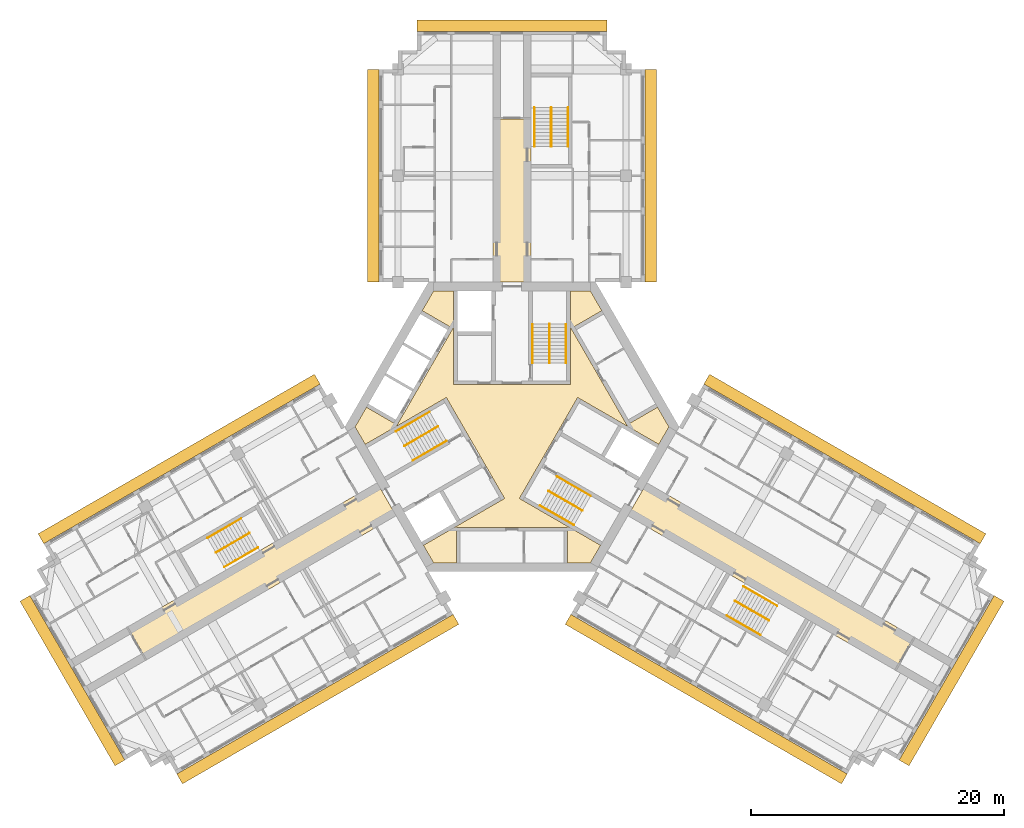
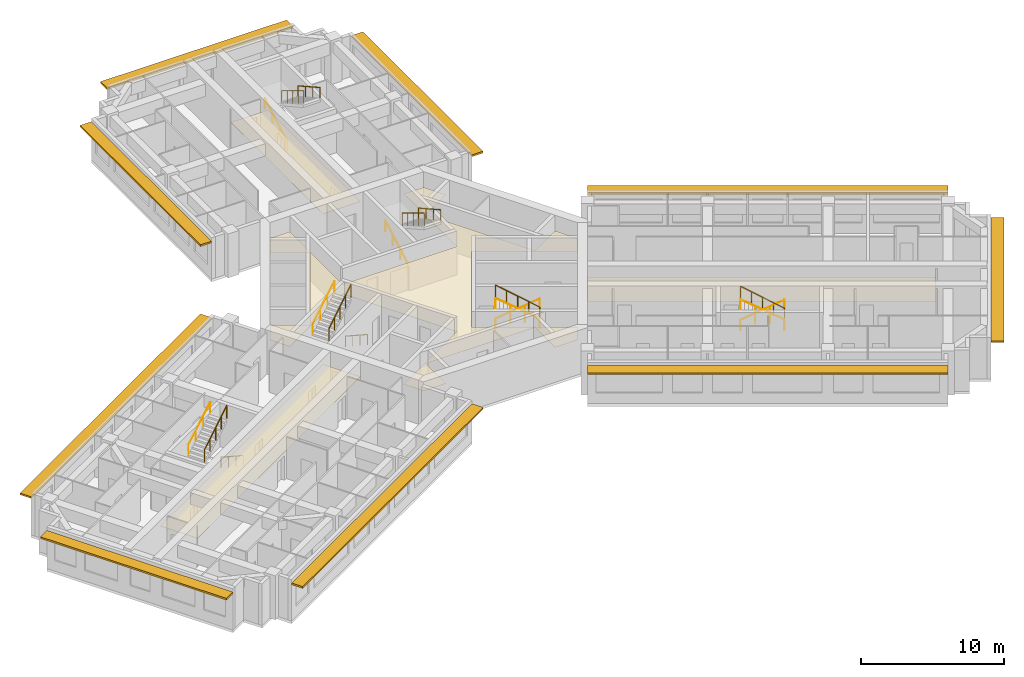
# One storey, part 12 of 12: 18 railings, 4 coverings, 3 shading devices.
"""IFC4 building model written with IfcOpenShell, lengths in metres."""

from ifc_helpers import new_model, si_unit, direction, frame, origin, origin_2d, place, context, subcontext, project, spatial, polyline, rectangle, circle, outline, extrude, material, layer, layer_set, type_object, element, save


model = new_model("IFC4")

# Units and contexts
model_context = context("Model", 3, precision=1e-05, world=origin(), true_north=direction((0.0, 1.0)))
body_context = subcontext(model_context, "Body", "Model", "MODEL_VIEW")
ifc_project = project(units=[si_unit("LENGTHUNIT", "METRE"), si_unit("AREAUNIT", "SQUARE_METRE"), si_unit("VOLUMEUNIT", "CUBIC_METRE"), si_unit("PLANEANGLEUNIT", "RADIAN"), si_unit("MASSUNIT", "GRAM", prefix="KILO")], contexts=[model_context])

# Site, building, storey
site_placement = place(None, origin())
site = spatial("IfcSite", under=ifc_project, at=site_placement, CompositionType="ELEMENT")
building_placement = place(site_placement, origin())
building = spatial("IfcBuilding", under=site, at=building_placement, Name="Impinga Residences", CompositionType="ELEMENT")
storey_placement = place(building_placement, frame((0.0, 0.0, 214.75)))
storey = spatial("IfcBuildingStorey", under=building, at=storey_placement, Name="L53", CompositionType="ELEMENT", Elevation=214.75)

# Coverings
ifc_material_1 = material(Name="Plasterboard 15 mm on steel hangers", Category="steel")
ifc_layer_1 = layer(ifc_material_1, 0.014892578125)
ifc_layer_set_1 = layer_set([ifc_layer_1], Name="Plasterboard 15 mm on steel hangers")
covering_type_1 = type_object("IfcCoveringType", Name="CL1 corridor ceiling, 15 mm plasterboard on hangers", PredefinedType="CEILING", material=ifc_layer_set_1)
covering_1_placement = place(storey_placement, frame((0.0, 0.0, 2.39990234375)))
element("IfcCovering", 1, at=covering_1_placement, inside=storey, type_object=covering_type_1, Name="Corridor ceiling CL1 L53-N00", PredefinedType="CEILING", context=body_context, shape_type="SweptSolid", body=[
    extrude(outline(polyline([(-1.5, 11.431640625), (1.5, 11.431640625), (1.5, 24.33154296875), (-1.5, 24.33154296875), (-1.5, 11.431640625)])), origin(), (0.0, 0.0, 1.0), 0.01513671875),
])
covering_2_placement = place(storey_placement, frame((0.0, 0.0, 2.39990234375)))
element("IfcCovering", 2, at=covering_2_placement, inside=storey, type_object=covering_type_1, Name="Corridor ceiling CL1 L53-W00", PredefinedType="CEILING", context=body_context, shape_type="SweptSolid", body=[
    extrude(outline(polyline([(-9.14990234375, -7.014892578125), (-10.64990234375, -4.416748046875), (-30.35205078125, -15.791748046875), (-28.85205078125, -18.389892578125), (-9.14990234375, -7.014892578125)])), origin(), (0.0, 0.0, 1.0), 0.01513671875),
])
covering_3_placement = place(storey_placement, frame((0.0, 0.0, 2.39990234375)))
element("IfcCovering", 3, at=covering_3_placement, inside=storey, type_object=covering_type_1, Name="Corridor ceiling CL1 L53-E00", PredefinedType="CEILING", context=body_context, shape_type="SweptSolid", body=[
    extrude(outline(polyline([(10.64990234375, -4.416748046875), (9.14990234375, -7.014892578125), (30.23779296875, -19.189697265625), (31.73779296875, -16.591796875), (10.64990234375, -4.416748046875)])), origin(), (0.0, 0.0, 1.0), 0.01513671875),
])
ifc_material_2 = material(Name="Mineral fibre tiles 20 mm on exposed grid", Category="mineral fibre")
ifc_layer_2 = layer(ifc_material_2, 0.02001953125)
ifc_layer_set_2 = layer_set([ifc_layer_2], Name="CL2 lift lobby ceiling, 20 mm mineral fibre tiles")
covering_type_2 = type_object("IfcCoveringType", Name="CL2 lift lobby ceiling, 20 mm mineral fibre tiles", PredefinedType="CEILING", material=ifc_layer_set_2)
covering_4_placement = place(storey_placement, frame((0.0, 0.0, 2.39990234375)))
element("IfcCovering", 4, at=covering_4_placement, inside=storey, type_object=covering_type_2, Name="Lift lobby ceiling CL2 L53-C01", PredefinedType="CEILING", context=body_context, shape_type="SweptSolid", body=[
    extrude(outline(polyline([(12.3916015625, 0.0), (11.59375, -1.382080078125), (5.183837890625, 2.318603515625), (0.583984375, -5.648681640625), (6.993896484375, -9.349365234375), (6.19580078125, -10.7314453125), (4.39990234375, -10.7314453125), (4.39990234375, -7.931640625), (-4.39990234375, -7.931640625), (-4.39990234375, -10.7314453125), (-6.19580078125, -10.7314453125), (-6.993896484375, -9.349365234375), (-0.583984375, -5.648681640625), (-5.183837890625, 2.318603515625), (-11.59375, -1.382080078125), (-12.3916015625, 0.0), (-11.493896484375, 1.55517578125), (-9.06884765625, 0.1552734375), (-4.6689453125, 7.7763671875), (-7.09375, 9.17626953125), (-6.19580078125, 10.7314453125), (-4.60009765625, 10.7314453125), (-4.60009765625, 3.330078125), (4.60009765625, 3.330078125), (4.60009765625, 10.7314453125), (6.19580078125, 10.7314453125), (7.09375, 9.17626953125), (4.6689453125, 7.7763671875), (9.06884765625, 0.1552734375), (11.493896484375, 1.55517578125), (12.3916015625, 0.0)])), origin(), (0.0, 0.0, 1.0), 0.02001953125),
])

# Railings
ifc_material_3 = material(Name="Steel guard, powder coated", Category="steel")
railing_type_1 = type_object("IfcRailingType", Name="GR1 stair guard 1100", PredefinedType="GUARDRAIL", material=ifc_material_3)
railing_1_placement = place(storey_placement, frame((2.949951171875, 8.110107421875, 1.875)))
element("IfcRailing", 5, at=railing_1_placement, inside=storey, type_object=railing_type_1, Name="Stair guard GR1 ST1 L53", PredefinedType="GUARDRAIL", context=body_context, shape_type="SweptSolid", body=[
    extrude(circle(Radius=0.02392578125, at=origin_2d()), frame((0.0, 0.0, 1.076171875), z_axis=(0.0, -0.854177636135, 0.519981313056), x_axis=(1.0, 0.0, 0.0)), (0.0, 0.0, 1.0), 3.60595703125),
    extrude(circle(Radius=0.02099609375, at=origin_2d()), origin(), (0.0, 0.0, 1.0), 1.052001953125),
    extrude(circle(Radius=0.02099609375, at=origin_2d()), frame((0.0, -0.77001953125, 0.46875)), (0.0, 0.0, 1.0), 1.052001953125),
    extrude(circle(Radius=0.02099609375, at=origin_2d()), frame((0.0, -1.5400390625, 0.9375)), (0.0, 0.0, 1.0), 1.052001953125),
    extrude(circle(Radius=0.02099609375, at=origin_2d()), frame((0.0, -2.31005859375, 1.40625)), (0.0, 0.0, 1.0), 1.052001953125),
    extrude(circle(Radius=0.02099609375, at=origin_2d()), frame((0.0, -3.080078125, 1.875)), (0.0, 0.0, 1.0), 1.052001953125),
])
railing_2_placement = place(storey_placement, frame((-8.49853515625, -1.500244140625, 1.875)))
element("IfcRailing", 6, at=railing_2_placement, inside=storey, type_object=railing_type_1, Name="Stair guard GR1 ST2 L53", PredefinedType="GUARDRAIL", context=body_context, shape_type="SweptSolid", body=[
    extrude(circle(Radius=0.02392578125, at=origin_2d()), frame((0.0, 0.0, 1.076171875), z_axis=(0.739746383972, 0.427084037168, 0.519975492303), x_axis=(-0.499992328818, 0.866029832698, 0.0)), (0.0, 0.0, 1.0), 3.60595703125),
    extrude(circle(Radius=0.02099609375, at=origin_2d()), origin(), (0.0, 0.0, 1.0), 1.052001953125),
    extrude(circle(Radius=0.02099609375, at=origin_2d()), frame((0.6669921875, 0.385009765625, 0.46875)), (0.0, 0.0, 1.0), 1.052001953125),
    extrude(circle(Radius=0.02099609375, at=origin_2d()), frame((1.333740234375, 0.77001953125, 0.9375)), (0.0, 0.0, 1.0), 1.052001953125),
    extrude(circle(Radius=0.02099609375, at=origin_2d()), frame((2.00048828125, 1.155029296875, 1.40625)), (0.0, 0.0, 1.0), 1.052001953125),
    extrude(circle(Radius=0.02099609375, at=origin_2d()), frame((2.66748046875, 1.5400390625, 1.875)), (0.0, 0.0, 1.0), 1.052001953125),
])
railing_3_placement = place(storey_placement, frame((5.548583984375, -6.60986328125, 1.875)))
element("IfcRailing", 7, at=railing_3_placement, inside=storey, type_object=railing_type_1, Name="Stair guard GR1 ST3 L53", PredefinedType="GUARDRAIL", context=body_context, shape_type="SweptSolid", body=[
    extrude(circle(Radius=0.02392578125, at=origin_2d()), frame((0.0, 0.0, 1.076171875), z_axis=(-0.739746383972, 0.427084037168, 0.519975492303), x_axis=(-0.499992328818, -0.866029832698, 0.0)), (0.0, 0.0, 1.0), 3.60595703125),
    extrude(circle(Radius=0.02099609375, at=origin_2d()), origin(), (0.0, 0.0, 1.0), 1.052001953125),
    extrude(circle(Radius=0.02099609375, at=origin_2d()), frame((-0.6669921875, 0.385009765625, 0.46875)), (0.0, 0.0, 1.0), 1.052001953125),
    extrude(circle(Radius=0.02099609375, at=origin_2d()), frame((-1.333740234375, 0.77001953125, 0.9375)), (0.0, 0.0, 1.0), 1.052001953125),
    extrude(circle(Radius=0.02099609375, at=origin_2d()), frame((-2.00048828125, 1.155029296875, 1.40625)), (0.0, 0.0, 1.0), 1.052001953125),
    extrude(circle(Radius=0.02099609375, at=origin_2d()), frame((-2.66748046875, 1.5400390625, 1.875)), (0.0, 0.0, 1.0), 1.052001953125),
])
railing_4_placement = place(storey_placement, frame((3.10009765625, 25.21142578125, 1.875)))
element("IfcRailing", 8, at=railing_4_placement, inside=storey, type_object=railing_type_1, Name="Stair guard GR1 WS1 L53", PredefinedType="GUARDRAIL", context=body_context, shape_type="SweptSolid", body=[
    extrude(circle(Radius=0.02392578125, at=origin_2d()), frame((0.0, 0.0, 1.076171875), z_axis=(0.0, -0.854159328187, 0.520011386482), x_axis=(1.0, 0.0, 0.0)), (0.0, 0.0, 1.0), 3.605712890625),
    extrude(circle(Radius=0.02099609375, at=origin_2d()), origin(), (0.0, 0.0, 1.0), 1.052001953125),
    extrude(circle(Radius=0.02099609375, at=origin_2d()), frame((0.0, -0.77001953125, 0.46875)), (0.0, 0.0, 1.0), 1.052001953125),
    extrude(circle(Radius=0.02099609375, at=origin_2d()), frame((0.0, -1.5400390625, 0.9375)), (0.0, 0.0, 1.0), 1.052001953125),
    extrude(circle(Radius=0.02099609375, at=origin_2d()), frame((0.0, -2.309814453125, 1.40625)), (0.0, 0.0, 1.0), 1.052001953125),
    extrude(circle(Radius=0.02099609375, at=origin_2d()), frame((0.0, -3.079833984375, 1.875)), (0.0, 0.0, 1.0), 1.052001953125),
])
railing_5_placement = place(storey_placement, frame((-23.3837890625, -9.921142578125, 1.875)))
element("IfcRailing", 9, at=railing_5_placement, inside=storey, type_object=railing_type_1, Name="Stair guard GR1 WS2 L53", PredefinedType="GUARDRAIL", context=body_context, shape_type="SweptSolid", body=[
    extrude(circle(Radius=0.02392578125, at=origin_2d()), frame((0.0, 0.0, 1.076171875), z_axis=(0.739715726454, 0.427105428144, 0.52000153585), x_axis=(-0.500026652407, 0.866010015463, 0.0)), (0.0, 0.0, 1.0), 3.605712890625),
    extrude(circle(Radius=0.02099609375, at=origin_2d()), origin(), (0.0, 0.0, 1.0), 1.052001953125),
    extrude(circle(Radius=0.02099609375, at=origin_2d()), frame((0.666748046875, 0.385009765625, 0.46875)), (0.0, 0.0, 1.0), 1.052001953125),
    extrude(circle(Radius=0.02099609375, at=origin_2d()), frame((1.33349609375, 0.77001953125, 0.9375)), (0.0, 0.0, 1.0), 1.052001953125),
    extrude(circle(Radius=0.02099609375, at=origin_2d()), frame((2.00048828125, 1.155029296875, 1.40625)), (0.0, 0.0, 1.0), 1.052001953125),
    extrude(circle(Radius=0.02099609375, at=origin_2d()), frame((2.667236328125, 1.5400390625, 1.875)), (0.0, 0.0, 1.0), 1.052001953125),
])
railing_6_placement = place(storey_placement, frame((20.283935546875, -15.29052734375, 1.875)))
element("IfcRailing", 10, at=railing_6_placement, inside=storey, type_object=railing_type_1, Name="Stair guard GR1 WS3 L53", PredefinedType="GUARDRAIL", context=body_context, shape_type="SweptSolid", body=[
    extrude(circle(Radius=0.02392578125, at=origin_2d()), frame((0.0, 0.0, 1.076171875), z_axis=(-0.739746383972, 0.427084037168, 0.519975492303), x_axis=(-0.499992328818, -0.866029832698, 0.0)), (0.0, 0.0, 1.0), 3.60595703125),
    extrude(circle(Radius=0.02099609375, at=origin_2d()), origin(), (0.0, 0.0, 1.0), 1.052001953125),
    extrude(circle(Radius=0.02099609375, at=origin_2d()), frame((-0.6669921875, 0.385009765625, 0.46875)), (0.0, 0.0, 1.0), 1.052001953125),
    extrude(circle(Radius=0.02099609375, at=origin_2d()), frame((-1.333740234375, 0.77001953125, 0.9375)), (0.0, 0.0, 1.0), 1.052001953125),
    extrude(circle(Radius=0.02099609375, at=origin_2d()), frame((-2.00048828125, 1.155029296875, 1.40625)), (0.0, 0.0, 1.0), 1.052001953125),
    extrude(circle(Radius=0.02099609375, at=origin_2d()), frame((-2.66748046875, 1.5400390625, 1.875)), (0.0, 0.0, 1.0), 1.052001953125),
])
ifc_material_4 = material(Name="Steel handrail tube 42 mm, powder coated", Category="steel")
railing_type_2 = type_object("IfcRailingType", Name="HR1 stair handrail, 42 mm steel tube, 900 above the pitch line", PredefinedType="HANDRAIL", material=ifc_material_4)
railing_7_placement = place(storey_placement, frame((1.62109375, 5.030029296875, 0.15625)))
element("IfcRailing", 11, at=railing_7_placement, inside=storey, type_object=railing_type_2, Name="Stair handrail HR1 ST1 L53", PredefinedType="HANDRAIL", context=body_context, shape_type="SweptSolid", body=[
    extrude(circle(Radius=0.02099609375, at=origin_2d()), frame((0.0, 0.0, 0.87890625), z_axis=(0.0, 0.873241540666, 0.487287606713), x_axis=(-1.0, 0.0, 0.0)), (0.0, 0.0, 1.0), 3.527099609375),
    extrude(circle(Radius=0.012451171875, at=origin_2d()), origin(), (0.0, 0.0, 1.0), 0.85791015625),
    extrude(circle(Radius=0.012451171875, at=origin_2d()), frame((0.0, 1.026611328125, 0.572998046875)), (0.0, 0.0, 1.0), 0.85791015625),
    extrude(circle(Radius=0.012451171875, at=origin_2d()), frame((0.0, 2.053466796875, 1.145751953125)), (0.0, 0.0, 1.0), 0.85791015625),
    extrude(circle(Radius=0.012451171875, at=origin_2d()), frame((0.0, 3.080078125, 1.71875)), (0.0, 0.0, 1.0), 0.85791015625),
])
railing_8_placement = place(storey_placement, frame((4.279052734375, 8.110107421875, 2.03125)))
element("IfcRailing", 12, at=railing_8_placement, inside=storey, type_object=railing_type_2, Name="Stair handrail HR1 ST1 L53", PredefinedType="HANDRAIL", context=body_context, shape_type="SweptSolid", body=[
    extrude(circle(Radius=0.02099609375, at=origin_2d()), frame((0.0, 0.0, 0.87890625), z_axis=(0.0, -0.873241540666, 0.487287606713), x_axis=(1.0, 0.0, 0.0)), (0.0, 0.0, 1.0), 3.527099609375),
    extrude(circle(Radius=0.012451171875, at=origin_2d()), origin(), (0.0, 0.0, 1.0), 0.85791015625),
    extrude(circle(Radius=0.012451171875, at=origin_2d()), frame((0.0, -1.026611328125, 0.572998046875)), (0.0, 0.0, 1.0), 0.85791015625),
    extrude(circle(Radius=0.012451171875, at=origin_2d()), frame((0.0, -2.053466796875, 1.145751953125)), (0.0, 0.0, 1.0), 0.85791015625),
    extrude(circle(Radius=0.012451171875, at=origin_2d()), frame((0.0, -3.080078125, 1.71875)), (0.0, 0.0, 1.0), 0.85791015625),
])
railing_9_placement = place(storey_placement, frame((-5.16650390625, -1.111083984375, 0.15625)))
element("IfcRailing", 13, at=railing_9_placement, inside=storey, type_object=railing_type_2, Name="Stair handrail HR1 ST2 L53", PredefinedType="HANDRAIL", context=body_context, shape_type="SweptSolid", body=[
    extrude(circle(Radius=0.02099609375, at=origin_2d()), frame((0.0, 0.0, 0.87890625), z_axis=(-0.756255980417, -0.436615662133, 0.487281905742), x_axis=(0.499992328818, -0.866029832698, 0.0)), (0.0, 0.0, 1.0), 3.527099609375),
    extrude(circle(Radius=0.012451171875, at=origin_2d()), origin(), (0.0, 0.0, 1.0), 0.85791015625),
    extrude(circle(Radius=0.012451171875, at=origin_2d()), frame((-0.88916015625, -0.513427734375, 0.572998046875)), (0.0, 0.0, 1.0), 0.85791015625),
    extrude(circle(Radius=0.012451171875, at=origin_2d()), frame((-1.7783203125, -1.026611328125, 1.145751953125)), (0.0, 0.0, 1.0), 0.85791015625),
    extrude(circle(Radius=0.012451171875, at=origin_2d()), frame((-2.66748046875, -1.5400390625, 1.71875)), (0.0, 0.0, 1.0), 0.85791015625),
])
railing_10_placement = place(storey_placement, frame((-9.1630859375, -0.349365234375, 2.03125)))
element("IfcRailing", 14, at=railing_10_placement, inside=storey, type_object=railing_type_2, Name="Stair handrail HR1 ST2 L53", PredefinedType="HANDRAIL", context=body_context, shape_type="SweptSolid", body=[
    extrude(circle(Radius=0.02099609375, at=origin_2d()), frame((0.0, 0.0, 0.87890625), z_axis=(0.756255980417, 0.436615662133, 0.487281905742), x_axis=(-0.499992328818, 0.866029832698, 0.0)), (0.0, 0.0, 1.0), 3.527099609375),
    extrude(circle(Radius=0.012451171875, at=origin_2d()), origin(), (0.0, 0.0, 1.0), 0.85791015625),
    extrude(circle(Radius=0.012451171875, at=origin_2d()), frame((0.88916015625, 0.513427734375, 0.572998046875)), (0.0, 0.0, 1.0), 0.85791015625),
    extrude(circle(Radius=0.012451171875, at=origin_2d()), frame((1.7783203125, 1.026611328125, 1.145751953125)), (0.0, 0.0, 1.0), 0.85791015625),
    extrude(circle(Radius=0.012451171875, at=origin_2d()), frame((2.66748046875, 1.5400390625, 1.71875)), (0.0, 0.0, 1.0), 0.85791015625),
])
railing_11_placement = place(storey_placement, frame((3.545654296875, -3.9189453125, 0.15625)))
element("IfcRailing", 15, at=railing_11_placement, inside=storey, type_object=railing_type_2, Name="Stair handrail HR1 ST3 L53", PredefinedType="HANDRAIL", context=body_context, shape_type="SweptSolid", body=[
    extrude(circle(Radius=0.02099609375, at=origin_2d()), frame((0.0, 0.0, 0.87890625), z_axis=(0.756249203677, -0.436582492228, 0.487322141317), x_axis=(0.499967199496, 0.866044340336, 0.0)), (0.0, 0.0, 1.0), 3.52685546875),
    extrude(circle(Radius=0.012451171875, at=origin_2d()), origin(), (0.0, 0.0, 1.0), 0.85791015625),
    extrude(circle(Radius=0.012451171875, at=origin_2d()), frame((0.88916015625, -0.51318359375, 0.572998046875)), (0.0, 0.0, 1.0), 0.85791015625),
    extrude(circle(Radius=0.012451171875, at=origin_2d()), frame((1.778076171875, -1.026611328125, 1.145751953125)), (0.0, 0.0, 1.0), 0.85791015625),
    extrude(circle(Radius=0.012451171875, at=origin_2d()), frame((2.667236328125, -1.539794921875, 1.71875)), (0.0, 0.0, 1.0), 0.85791015625),
])
railing_12_placement = place(storey_placement, frame((4.884033203125, -7.7607421875, 2.03125)))
element("IfcRailing", 16, at=railing_12_placement, inside=storey, type_object=railing_type_2, Name="Stair handrail HR1 ST3 L53", PredefinedType="HANDRAIL", context=body_context, shape_type="SweptSolid", body=[
    extrude(circle(Radius=0.02099609375, at=origin_2d()), frame((0.0, 0.0, 0.87890625), z_axis=(-0.756255980417, 0.436615662133, 0.487281905742), x_axis=(-0.499992328818, -0.866029832698, 0.0)), (0.0, 0.0, 1.0), 3.527099609375),
    extrude(circle(Radius=0.012451171875, at=origin_2d()), origin(), (0.0, 0.0, 1.0), 0.85791015625),
    extrude(circle(Radius=0.012451171875, at=origin_2d()), frame((-0.88916015625, 0.513427734375, 0.572998046875)), (0.0, 0.0, 1.0), 0.85791015625),
    extrude(circle(Radius=0.012451171875, at=origin_2d()), frame((-1.7783203125, 1.026611328125, 1.145751953125)), (0.0, 0.0, 1.0), 0.85791015625),
    extrude(circle(Radius=0.012451171875, at=origin_2d()), frame((-2.66748046875, 1.5400390625, 1.71875)), (0.0, 0.0, 1.0), 0.85791015625),
])
railing_13_placement = place(storey_placement, frame((1.77099609375, 22.131591796875, 0.15625)))
element("IfcRailing", 17, at=railing_13_placement, inside=storey, type_object=railing_type_2, Name="Stair handrail HR1 WS1 L53", PredefinedType="HANDRAIL", context=body_context, shape_type="SweptSolid", body=[
    extrude(circle(Radius=0.02099609375, at=origin_2d()), frame((0.0, 0.0, 0.87890625), z_axis=(0.0, 0.873225103656, 0.487317061414), x_axis=(-1.0, 0.0, 0.0)), (0.0, 0.0, 1.0), 3.52685546875),
    extrude(circle(Radius=0.012451171875, at=origin_2d()), origin(), (0.0, 0.0, 1.0), 0.85791015625),
    extrude(circle(Radius=0.012451171875, at=origin_2d()), frame((0.0, 1.026611328125, 0.572998046875)), (0.0, 0.0, 1.0), 0.85791015625),
    extrude(circle(Radius=0.012451171875, at=origin_2d()), frame((0.0, 2.05322265625, 1.145751953125)), (0.0, 0.0, 1.0), 0.85791015625),
    extrude(circle(Radius=0.012451171875, at=origin_2d()), frame((0.0, 3.079833984375, 1.71875)), (0.0, 0.0, 1.0), 0.85791015625),
])
railing_14_placement = place(storey_placement, frame((4.428955078125, 25.21142578125, 2.03125)))
element("IfcRailing", 18, at=railing_14_placement, inside=storey, type_object=railing_type_2, Name="Stair handrail HR1 WS1 L53", PredefinedType="HANDRAIL", context=body_context, shape_type="SweptSolid", body=[
    extrude(circle(Radius=0.02099609375, at=origin_2d()), frame((0.0, 0.0, 0.87890625), z_axis=(0.0, -0.873225103656, 0.487317061414), x_axis=(1.0, 0.0, 0.0)), (0.0, 0.0, 1.0), 3.52685546875),
    extrude(circle(Radius=0.012451171875, at=origin_2d()), origin(), (0.0, 0.0, 1.0), 0.85791015625),
    extrude(circle(Radius=0.012451171875, at=origin_2d()), frame((0.0, -1.026611328125, 0.572998046875)), (0.0, 0.0, 1.0), 0.85791015625),
    extrude(circle(Radius=0.012451171875, at=origin_2d()), frame((0.0, -2.05322265625, 1.145751953125)), (0.0, 0.0, 1.0), 0.85791015625),
    extrude(circle(Radius=0.012451171875, at=origin_2d()), frame((0.0, -3.079833984375, 1.71875)), (0.0, 0.0, 1.0), 0.85791015625),
])
railing_15_placement = place(storey_placement, frame((-20.052001953125, -9.531982421875, 0.15625)))
element("IfcRailing", 19, at=railing_15_placement, inside=storey, type_object=railing_type_2, Name="Stair handrail HR1 WS2 L53", PredefinedType="HANDRAIL", context=body_context, shape_type="SweptSolid", body=[
    extrude(circle(Radius=0.02099609375, at=origin_2d()), frame((0.0, 0.0, 0.87890625), z_axis=(-0.756226348243, -0.436638517594, 0.487307413422), x_axis=(0.500026652407, -0.866010015463, 0.0)), (0.0, 0.0, 1.0), 3.527099609375),
    extrude(circle(Radius=0.012451171875, at=origin_2d()), origin(), (0.0, 0.0, 1.0), 0.85791015625),
    extrude(circle(Radius=0.012451171875, at=origin_2d()), frame((-0.88916015625, -0.513427734375, 0.572998046875)), (0.0, 0.0, 1.0), 0.85791015625),
    extrude(circle(Radius=0.012451171875, at=origin_2d()), frame((-1.778076171875, -1.026611328125, 1.145751953125)), (0.0, 0.0, 1.0), 0.85791015625),
    extrude(circle(Radius=0.012451171875, at=origin_2d()), frame((-2.667236328125, -1.5400390625, 1.71875)), (0.0, 0.0, 1.0), 0.85791015625),
])
railing_16_placement = place(storey_placement, frame((-24.04833984375, -8.77001953125, 2.03125)))
element("IfcRailing", 20, at=railing_16_placement, inside=storey, type_object=railing_type_2, Name="Stair handrail HR1 WS2 L53", PredefinedType="HANDRAIL", context=body_context, shape_type="SweptSolid", body=[
    extrude(circle(Radius=0.02099609375, at=origin_2d()), frame((0.0, 0.0, 0.87890625), z_axis=(0.756278834354, 0.436559638319, 0.487296631324), x_axis=(-0.499932877268, 0.866064153644, 0.0)), (0.0, 0.0, 1.0), 3.527099609375),
    extrude(circle(Radius=0.012451171875, at=origin_2d()), origin(), (0.0, 0.0, 1.0), 0.85791015625),
    extrude(circle(Radius=0.012451171875, at=origin_2d()), frame((0.88916015625, 0.51318359375, 0.572998046875)), (0.0, 0.0, 1.0), 0.85791015625),
    extrude(circle(Radius=0.012451171875, at=origin_2d()), frame((1.7783203125, 1.026611328125, 1.145751953125)), (0.0, 0.0, 1.0), 0.85791015625),
    extrude(circle(Radius=0.012451171875, at=origin_2d()), frame((2.66748046875, 1.539794921875, 1.71875)), (0.0, 0.0, 1.0), 0.85791015625),
])
railing_17_placement = place(storey_placement, frame((18.281005859375, -12.599609375, 0.15625)))
element("IfcRailing", 21, at=railing_17_placement, inside=storey, type_object=railing_type_2, Name="Stair handrail HR1 WS3 L53", PredefinedType="HANDRAIL", context=body_context, shape_type="SweptSolid", body=[
    extrude(circle(Radius=0.02099609375, at=origin_2d()), frame((0.0, 0.0, 0.87890625), z_axis=(0.756249203677, -0.436582492228, 0.487322141317), x_axis=(0.499967199496, 0.866044340336, 0.0)), (0.0, 0.0, 1.0), 3.52685546875),
    extrude(circle(Radius=0.012451171875, at=origin_2d()), origin(), (0.0, 0.0, 1.0), 0.85791015625),
    extrude(circle(Radius=0.012451171875, at=origin_2d()), frame((0.88916015625, -0.51318359375, 0.572998046875)), (0.0, 0.0, 1.0), 0.85791015625),
    extrude(circle(Radius=0.012451171875, at=origin_2d()), frame((1.778076171875, -1.026611328125, 1.145751953125)), (0.0, 0.0, 1.0), 0.85791015625),
    extrude(circle(Radius=0.012451171875, at=origin_2d()), frame((2.667236328125, -1.539794921875, 1.71875)), (0.0, 0.0, 1.0), 0.85791015625),
])
railing_18_placement = place(storey_placement, frame((19.619384765625, -16.44140625, 2.03125)))
element("IfcRailing", 22, at=railing_18_placement, inside=storey, type_object=railing_type_2, Name="Stair handrail HR1 WS3 L53", PredefinedType="HANDRAIL", context=body_context, shape_type="SweptSolid", body=[
    extrude(circle(Radius=0.02099609375, at=origin_2d()), frame((0.0, 0.0, 0.87890625), z_axis=(-0.756255980417, 0.436615662133, 0.487281905742), x_axis=(-0.499992328818, -0.866029832698, 0.0)), (0.0, 0.0, 1.0), 3.527099609375),
    extrude(circle(Radius=0.012451171875, at=origin_2d()), origin(), (0.0, 0.0, 1.0), 0.85791015625),
    extrude(circle(Radius=0.012451171875, at=origin_2d()), frame((-0.88916015625, 0.513427734375, 0.572998046875)), (0.0, 0.0, 1.0), 0.85791015625),
    extrude(circle(Radius=0.012451171875, at=origin_2d()), frame((-1.7783203125, 1.026611328125, 1.145751953125)), (0.0, 0.0, 1.0), 0.85791015625),
    extrude(circle(Radius=0.012451171875, at=origin_2d()), frame((-2.66748046875, 1.5400390625, 1.71875)), (0.0, 0.0, 1.0), 0.85791015625),
])

# Shading devices
ifc_material_5 = material(Name="Terracotta sunshade blades on aluminium brackets", Category="masonry")
ifc_layer_3 = layer(ifc_material_5, 0.14990234375)
ifc_layer_set_3 = layer_set([ifc_layer_3], Name="SS1 SUNSHADE terracotta sunshade band 900")
shading_device_type = type_object("IfcShadingDeviceType", Name="SS1 SUNSHADE terracotta sunshade band 900", PredefinedType="USERDEFINED", material=ifc_layer_set_3)
shading_device_1_placement = place(storey_placement, frame((-10.949951171875, 19.83154296875, 3.10009765625), z_axis=(0.0, 0.0, 1.0), x_axis=(0.0, 1.0, 0.0)))
element("IfcShadingDevice", 23, at=shading_device_1_placement, inside=storey, type_object=shading_device_type, Name="SUNSHADE band L53 NORTH WING", ObjectType="SUNSHADE", PredefinedType="USERDEFINED", context=body_context, shape_type="SweptSolid", body=[
    extrude(rectangle(XDim=16.800048828125, YDim=0.89990234375, at=origin_2d()), origin(), (0.0, 0.0, 1.0), 0.14990234375),
    extrude(rectangle(XDim=15.0, YDim=0.89990234375, at=origin_2d()), frame((11.85009765625, -10.949951171875, 0.0), z_axis=(0.0, 0.0, 1.0), x_axis=(0.0, -1.0, 0.0)), (0.0, 0.0, 1.0), 0.14990234375),
    extrude(rectangle(XDim=16.800048828125, YDim=0.89990234375, at=origin_2d()), frame((0.0, -21.89990234375, 0.0), z_axis=(0.0, 0.0, 1.0), x_axis=(-1.0, 0.0, 0.0)), (0.0, 0.0, 1.0), 0.14990234375),
])
shading_device_2_placement = place(storey_placement, frame((-34.711669921875, -20.040771484375, 3.10009765625), z_axis=(0.0, 0.0, 1.0), x_axis=(-0.5, 0.866025403784, 0.0)))
element("IfcShadingDevice", 24, at=shading_device_2_placement, inside=storey, type_object=shading_device_type, Name="SUNSHADE band L53 WEST WING", ObjectType="SUNSHADE", PredefinedType="USERDEFINED", context=body_context, shape_type="SweptSolid", body=[
    extrude(rectangle(XDim=15.0, YDim=0.89990234375, at=origin_2d()), origin(), (0.0, 0.0, 1.0), 0.14990234375),
    extrude(rectangle(XDim=25.199951171875, YDim=0.89990234375, at=origin_2d()), frame((10.949951171875, -16.050048828125, 0.0), z_axis=(0.0, 0.0, 1.0), x_axis=(0.0, -1.0, 0.0)), (0.0, 0.0, 1.0), 0.14990234375),
    extrude(rectangle(XDim=25.199951171875, YDim=0.89990234375, at=origin_2d()), frame((-10.949951171875, -16.050048828125, 0.0), z_axis=(0.0, 0.0, 1.0), x_axis=(0.0, 1.0, 0.0)), (0.0, 0.0, 1.0), 0.14990234375),
])
shading_device_3_placement = place(storey_placement, frame((26.286865234375, -2.53271484375, 3.10009765625), z_axis=(0.0, 0.0, 1.0), x_axis=(0.866025403784, -0.5, 0.0)))
element("IfcShadingDevice", 25, at=shading_device_3_placement, inside=storey, type_object=shading_device_type, Name="SUNSHADE band L53 EAST WING", ObjectType="SUNSHADE", PredefinedType="USERDEFINED", context=body_context, shape_type="SweptSolid", body=[
    extrude(rectangle(XDim=25.199951171875, YDim=0.89990234375, at=origin_2d()), origin(), (0.0, 0.0, 1.0), 0.14990234375),
    extrude(rectangle(XDim=15.0, YDim=0.89990234375, at=origin_2d()), frame((16.050048828125, -10.949951171875, 0.0), z_axis=(0.0, 0.0, 1.0), x_axis=(0.0, -1.0, 0.0)), (0.0, 0.0, 1.0), 0.14990234375),
    extrude(rectangle(XDim=25.199951171875, YDim=0.89990234375, at=origin_2d()), frame((0.0, -21.900146484375, 0.0), z_axis=(0.0, 0.0, 1.0), x_axis=(-1.0, 0.0, 0.0)), (0.0, 0.0, 1.0), 0.14990234375),
])

save(model, "model.ifc")
